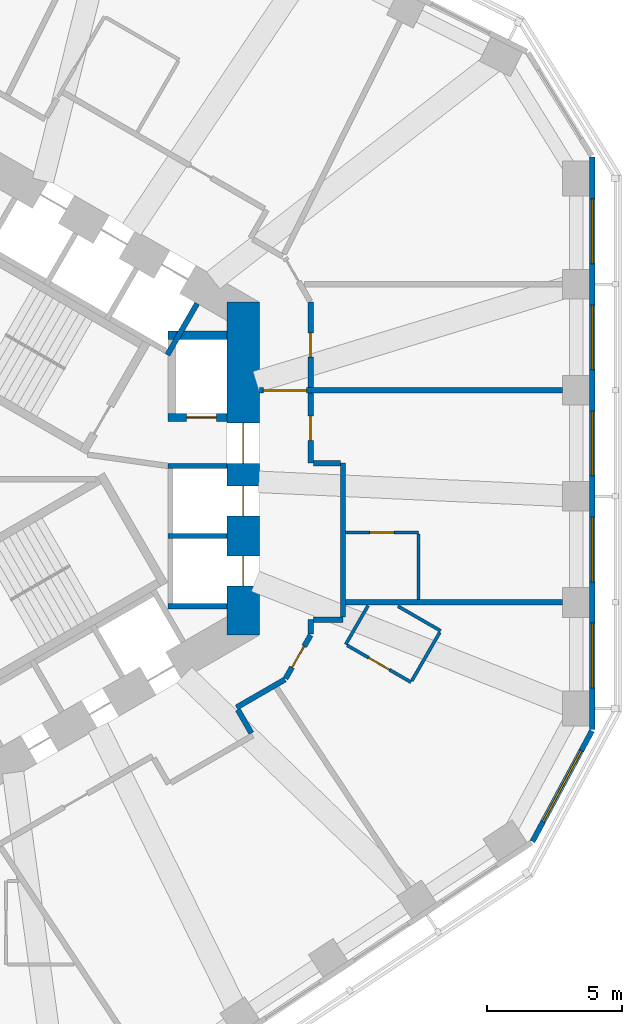
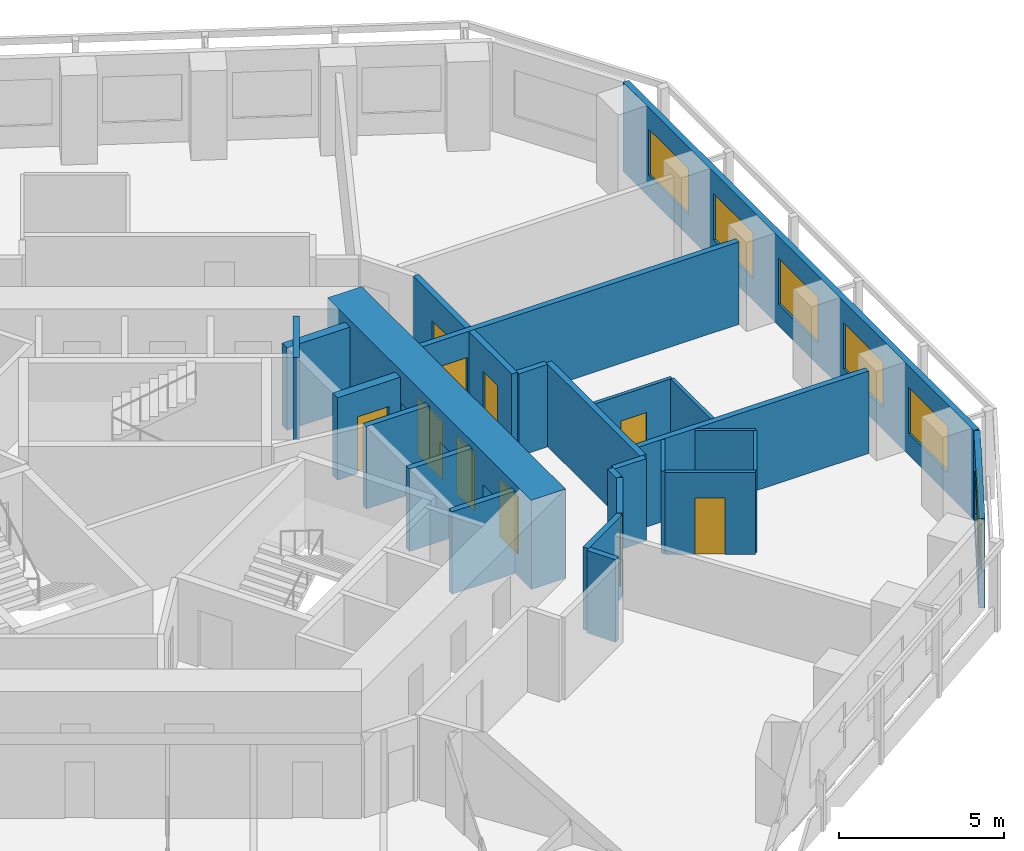
# One storey, part 6 of 11: 26 walls, 10 doors, 6 windows, 16 openings.
"""IFC4 building model written with IfcOpenShell, lengths in metres."""

from ifc_helpers import new_model, si_unit, direction, frame, frame_2d, origin, place, context, subcontext, project, spatial, rectangle, extrude, material, layer, layer_set, type_object, element, fill, save


model = new_model("IFC4")

# Units and contexts
model_context = context("Model", 3, precision=1e-05, world=origin(), true_north=direction((0.0, 1.0)))
body_context = subcontext(model_context, "Body", "Model", "MODEL_VIEW")
ifc_project = project(units=[si_unit("LENGTHUNIT", "METRE"), si_unit("AREAUNIT", "SQUARE_METRE"), si_unit("VOLUMEUNIT", "CUBIC_METRE"), si_unit("PLANEANGLEUNIT", "RADIAN"), si_unit("MASSUNIT", "GRAM", prefix="KILO")], contexts=[model_context])

# Site, building, storey
site_placement = place(None, origin())
site = spatial("IfcSite", under=ifc_project, at=site_placement, CompositionType="ELEMENT")
building_placement = place(site_placement, origin())
building = spatial("IfcBuilding", under=site, at=building_placement, Name="Vanh Sen Convention Tower", CompositionType="ELEMENT")
storey_placement = place(building_placement, frame((0.0, 0.0, 100.10009765625)))
storey = spatial("IfcBuildingStorey", under=building, at=storey_placement, Name="L23", CompositionType="ELEMENT", Elevation=100.10009765625)

# Wall
ifc_material_1 = material(Name="Moisture-resistant gypsum board on steel studs", Category="steel")
ifc_layer_1 = layer(ifc_material_1, 0.1201171875)
ifc_layer_set_1 = layer_set([ifc_layer_1], Name="Moisture-resistant gypsum board on steel studs")
wall_type_1 = type_object("IfcWallType", Name="Bathroom partition 120", PredefinedType="PARTITIONING", material=ifc_layer_set_1)
wall_1_placement = place(storey_placement, frame((13.90087890625, -6.5244140625, 0.0), z_axis=(0.0, 0.0, 1.0), x_axis=(0.499964162598, 0.86604609353, 0.0)))
element("IfcWall", 1, at=wall_1_placement, inside=storey, type_object=wall_type_1, Name="Bathroom partition 120", PredefinedType="PARTITIONING", context=body_context, shape_type="SweptSolid", body=[
    extrude(rectangle(XDim=1.6611328125, YDim=0.1201171875, at=frame_2d((0.83056640625, 0.0))), origin(), (0.0, 0.0, 1.0), 3.0498046875),
])

# Wall, opening, door
wall_2_placement = place(storey_placement, frame((13.90087890625, -2.364501953125, 0.0), z_axis=(0.0, 0.0, 1.0), x_axis=(1.0, 0.0, 0.0)))
wall_2 = element("IfcWall", 2, at=wall_2_placement, inside=storey, type_object=wall_type_1, Name="Bathroom partition 120", PredefinedType="PARTITIONING", context=body_context, shape_type="SweptSolid", body=[
    extrude(rectangle(XDim=2.7001953125, YDim=0.1201171875, at=frame_2d((1.35009765625, 0.0))), origin(), (0.0, 0.0, 1.0), 3.0498046875),
])
opening_1_placement = place(wall_2_placement, frame((0.89990234375, 0.0, 0.0)))
opening_1 = element("IfcOpeningElement", 3, at=opening_1_placement, cuts=wall_2, Name="Opening D22102", PredefinedType="OPENING", context=body_context, shape_type="SweptSolid", body=[
    extrude(rectangle(XDim=0.89990234375, YDim=2.10009765625, at=frame_2d((0.449951171875, 1.050048828125))), frame((0.0, 0.070068359375, 0.0), z_axis=(0.0, -1.0, 0.0), x_axis=(1.0, 0.0, 0.0)), (0.0, 0.0, 1.0), 0.14013671875),
])
ifc_material_2 = material(Name="Laminate door in steel frame", Category="steel")
door_type_1 = type_object("IfcDoorType", Name="En-suite door 900", OperationType="SINGLE_SWING_LEFT", PredefinedType="DOOR", material=ifc_material_2)
door_1_placement = place(opening_1_placement, origin())
door_1 = element("IfcDoor", 4, at=door_1_placement, inside=storey, type_object=door_type_1, Name="En-suite door D22102", OperationType="SINGLE_SWING_LEFT", OverallHeight=2.10009765625, OverallWidth=0.89990234375, PredefinedType="DOOR", context=body_context, shape_type="SweptSolid", body=[
    extrude(rectangle(XDim=0.89990234375, YDim=2.10009765625, at=frame_2d((0.449951171875, 1.050048828125))), frame((0.0, 0.02490234375, 0.0), z_axis=(0.0, -1.0, 0.0), x_axis=(1.0, 0.0, 0.0)), (0.0, 0.0, 1.0), 0.050048828125),
])
fill(opening_1, door_1)

# Wall
wall_3_placement = place(storey_placement, frame((15.84130859375, -5.1044921875, 0.0), z_axis=(0.0, 0.0, 1.0), x_axis=(0.866025591402, -0.499999675036, 0.0)))
element("IfcWall", 5, at=wall_3_placement, inside=storey, type_object=wall_type_1, Name="Bathroom partition 120", PredefinedType="PARTITIONING", context=body_context, shape_type="SweptSolid", body=[
    extrude(rectangle(XDim=1.82958984375, YDim=0.1201171875, at=frame_2d((0.914794921875, 0.0))), origin(), (0.0, 0.0, 1.0), 3.0498046875),
])

# Wall, opening, door
wall_4_placement = place(storey_placement, frame((16.32568359375, -7.924560546875, 0.0), z_axis=(0.0, 0.0, 1.0), x_axis=(-0.865997131366, 0.500048966069, 0.0)))
wall_4 = element("IfcWall", 6, at=wall_4_placement, inside=storey, type_object=wall_type_1, Name="Bathroom partition 120", PredefinedType="PARTITIONING", context=body_context, shape_type="SweptSolid", body=[
    extrude(rectangle(XDim=2.739990234375, YDim=0.1201171875, at=frame_2d((1.3701171875, 0.0))), origin(), (0.0, 0.0, 1.0), 3.0498046875),
])
opening_2_placement = place(wall_4_placement, frame((0.919921875, 0.0, 0.0)))
opening_2 = element("IfcOpeningElement", 7, at=opening_2_placement, cuts=wall_4, Name="Opening D22127", PredefinedType="OPENING", context=body_context, shape_type="SweptSolid", body=[
    extrude(rectangle(XDim=0.89990234375, YDim=2.10009765625, at=frame_2d((0.449951171875, 1.050048828125))), frame((0.0, 0.070068359375, 0.0), z_axis=(0.0, -1.0, 0.0), x_axis=(1.0, 0.0, 0.0)), (0.0, 0.0, 1.0), 0.14013671875),
])
door_2_placement = place(opening_2_placement, origin())
door_2 = element("IfcDoor", 8, at=door_2_placement, inside=storey, type_object=door_type_1, Name="En-suite door D22127", OperationType="SINGLE_SWING_LEFT", OverallHeight=2.10009765625, OverallWidth=0.89990234375, PredefinedType="DOOR", context=body_context, shape_type="SweptSolid", body=[
    extrude(rectangle(XDim=0.89990234375, YDim=2.10009765625, at=frame_2d((0.449951171875, 1.050048828125))), frame((0.0, 0.02490234375, 0.0), z_axis=(0.0, -1.0, 0.0), x_axis=(1.0, 0.0, 0.0)), (0.0, 0.0, 1.0), 0.050048828125),
])
fill(opening_2, door_2)

# Walls
wall_5_placement = place(storey_placement, frame((16.60107421875, -2.424560546875, 0.0), z_axis=(0.0, 0.0, 1.0), x_axis=(0.0, -1.0, 0.0)))
element("IfcWall", 9, at=wall_5_placement, inside=storey, type_object=wall_type_1, Name="Bathroom partition 120", PredefinedType="PARTITIONING", context=body_context, shape_type="SweptSolid", body=[
    extrude(rectangle(XDim=2.43994140625, YDim=0.1201171875, at=frame_2d((1.219970703125, 0.0))), origin(), (0.0, 0.0, 1.0), 3.0498046875),
])
wall_6_placement = place(storey_placement, frame((17.395751953125, -6.0712890625, 0.0), z_axis=(0.0, 0.0, 1.0), x_axis=(-0.500027264788, -0.866009661879, 0.0)))
element("IfcWall", 10, at=wall_6_placement, inside=storey, type_object=wall_type_1, Name="Bathroom partition 120", PredefinedType="PARTITIONING", context=body_context, shape_type="SweptSolid", body=[
    extrude(rectangle(XDim=2.080078125, YDim=0.1201171875, at=frame_2d((1.0400390625, 0.0))), origin(), (0.0, 0.0, 1.0), 3.0498046875),
])

# Wall, openings, doors
ifc_material_3 = material(Name="Concrete C80/95", Category="concrete")
ifc_layer_2 = layer(ifc_material_3, 1.199951171875)
ifc_layer_set_2 = layer_set([ifc_layer_2], Name="Concrete C80/95")
wall_type_2 = type_object("IfcWallType", Name="Core outer wall 1200 C80/95", PredefinedType="SHEAR", material=ifc_layer_set_2)
wall_7_placement = place(storey_placement, frame((10.10009765625, -6.177490234375, 0.0), z_axis=(0.0, 0.0, 1.0), x_axis=(0.0, 1.0, 0.0)))
wall_7 = element("IfcWall", 11, at=wall_7_placement, inside=storey, type_object=wall_type_2, Name="Core wall face E L23", PredefinedType="SHEAR", context=body_context, shape_type="SweptSolid", body=[
    extrude(rectangle(XDim=12.35498046875, YDim=1.199951171875, at=frame_2d((6.177490234375, 0.0))), origin(), (0.0, 0.0, 1.0), 3.2998046875),
])
opening_3_placement = place(wall_7_placement, frame((6.377685546875, 0.0, 0.0)))
opening_3 = element("IfcOpeningElement", 12, at=opening_3_placement, cuts=wall_7, Name="Opening D22001", PredefinedType="OPENING", context=body_context, shape_type="SweptSolid", body=[
    extrude(rectangle(XDim=1.5, YDim=2.10009765625, at=frame_2d((0.75, 1.050048828125))), frame((0.0, 0.60986328125, 0.0), z_axis=(0.0, -1.0, 0.0), x_axis=(1.0, 0.0, 0.0)), (0.0, 0.0, 1.0), 1.219970703125),
])
opening_4_placement = place(wall_7_placement, frame((1.82763671875, 0.0, 0.0)))
opening_4 = element("IfcOpeningElement", 13, at=opening_4_placement, cuts=wall_7, Name="Opening LD-LR1", PredefinedType="OPENING", context=body_context, shape_type="SweptSolid", body=[
    extrude(rectangle(XDim=1.10009765625, YDim=2.10009765625, at=frame_2d((0.550048828125, 1.050048828125))), frame((0.0, 0.60986328125, 0.0), z_axis=(0.0, -1.0, 0.0), x_axis=(1.0, 0.0, 0.0)), (0.0, 0.0, 1.0), 1.219970703125),
])
opening_5_placement = place(wall_7_placement, frame((4.427490234375, 0.0, 0.0)))
opening_5 = element("IfcOpeningElement", 14, at=opening_5_placement, cuts=wall_7, Name="Opening LD-LR2", PredefinedType="OPENING", context=body_context, shape_type="SweptSolid", body=[
    extrude(rectangle(XDim=1.10009765625, YDim=2.10009765625, at=frame_2d((0.550048828125, 1.050048828125))), frame((0.0, 0.60986328125, 0.0), z_axis=(0.0, -1.0, 0.0), x_axis=(1.0, 0.0, 0.0)), (0.0, 0.0, 1.0), 1.219970703125),
])
ifc_material_4 = material(Name="Stainless steel", Category="steel")
door_type_2 = type_object("IfcDoorType", Name="Lift landing door 1100", OperationType="DOUBLE_DOOR_SLIDING", PredefinedType="DOOR", material=ifc_material_4)
door_3_placement = place(opening_4_placement, origin())
door_3 = element("IfcDoor", 15, at=door_3_placement, inside=storey, type_object=door_type_2, Name="Lift LR1 landing door LD-LR1", OperationType="DOUBLE_DOOR_SLIDING", OverallHeight=2.10009765625, OverallWidth=1.10009765625, PredefinedType="DOOR", context=body_context, shape_type="SweptSolid", body=[
    extrude(rectangle(XDim=1.10009765625, YDim=2.10009765625, at=frame_2d((0.550048828125, 1.050048828125))), frame((0.0, 0.02490234375, 0.0), z_axis=(0.0, -1.0, 0.0), x_axis=(1.0, 0.0, 0.0)), (0.0, 0.0, 1.0), 0.050048828125),
])
fill(opening_4, door_3)
door_4_placement = place(opening_5_placement, origin())
door_4 = element("IfcDoor", 16, at=door_4_placement, inside=storey, type_object=door_type_2, Name="Lift LR2 landing door LD-LR2", OperationType="DOUBLE_DOOR_SLIDING", OverallHeight=2.10009765625, OverallWidth=1.10009765625, PredefinedType="DOOR", context=body_context, shape_type="SweptSolid", body=[
    extrude(rectangle(XDim=1.10009765625, YDim=2.10009765625, at=frame_2d((0.550048828125, 1.050048828125))), frame((0.0, 0.02490234375, 0.0), z_axis=(0.0, -1.0, 0.0), x_axis=(1.0, 0.0, 0.0)), (0.0, 0.0, 1.0), 0.050048828125),
])
fill(opening_5, door_4)
ifc_material_5 = material(Name="Steel S355", Category="steel")
door_type_3 = type_object("IfcDoorType", Name="Stair lobby door 1500", OperationType="DOUBLE_DOOR_SINGLE_SWING", PredefinedType="DOOR", material=ifc_material_5)
door_5_placement = place(opening_3_placement, origin())
door_5 = element("IfcDoor", 17, at=door_5_placement, inside=storey, type_object=door_type_3, Name="Stair lobby door D22001", OperationType="DOUBLE_DOOR_SINGLE_SWING", OverallHeight=2.10009765625, OverallWidth=1.5, PredefinedType="DOOR", context=body_context, shape_type="SweptSolid", body=[
    extrude(rectangle(XDim=1.5, YDim=2.10009765625, at=frame_2d((0.75, 1.050048828125))), frame((0.0, 0.02490234375, 0.0), z_axis=(0.0, -1.0, 0.0), x_axis=(1.0, 0.0, 0.0)), (0.0, 0.0, 1.0), 0.050048828125),
])
fill(opening_3, door_5)

# Walls
ifc_material_6 = material(Name="Gypsum board on steel studs with mineral wool", Category="steel")
ifc_layer_3 = layer(ifc_material_6, 0.199951171875)
ifc_layer_set_3 = layer_set([ifc_layer_3], Name="Gypsum board on steel studs with mineral wool")
wall_type_3 = type_object("IfcWallType", Name="Corridor partition wall 200", PredefinedType="PARTITIONING", material=ifc_layer_set_3)
wall_8_placement = place(storey_placement, frame((9.8515625, -8.861328125, 0.0), z_axis=(0.0, 0.0, 1.0), x_axis=(0.866013291437, 0.500020978615, 0.0)))
element("IfcWall", 18, at=wall_8_placement, inside=storey, type_object=wall_type_3, Name="Corridor partition wall 200", PredefinedType="PARTITIONING", context=body_context, shape_type="SweptSolid", body=[
    extrude(rectangle(XDim=2.07666015625, YDim=0.199951171875, at=frame_2d((1.038330078125, 0.0))), origin(), (0.0, 0.0, 1.0), 3.0498046875),
])
wall_9_placement = place(storey_placement, frame((10.402099609375, -9.81494140625, 0.0), z_axis=(0.0, 0.0, 1.0), x_axis=(-0.499968756647, 0.866043441391, 0.0)))
element("IfcWall", 19, at=wall_9_placement, inside=storey, type_object=wall_type_3, Name="Corridor partition wall 200", PredefinedType="PARTITIONING", context=body_context, shape_type="SweptSolid", body=[
    extrude(rectangle(XDim=1.0009765625, YDim=0.199951171875, at=frame_2d((0.50048828125, 0.0))), origin(), (0.0, 0.0, 1.0), 3.0498046875),
])

# Wall, opening, door
wall_10_placement = place(storey_placement, frame((11.669921875, -7.788330078125, 0.0), z_axis=(0.0, 0.0, 1.0), x_axis=(0.500063286585, 0.865988862174, 0.0)))
wall_10 = element("IfcWall", 20, at=wall_10_placement, inside=storey, type_object=wall_type_3, Name="Corridor partition wall 200", PredefinedType="PARTITIONING", context=body_context, shape_type="SweptSolid", body=[
    extrude(rectangle(XDim=1.860107421875, YDim=0.199951171875, at=frame_2d((0.93017578125, 0.0))), origin(), (0.0, 0.0, 1.0), 3.0498046875),
])
opening_6_placement = place(wall_10_placement, frame((0.47998046875, 0.0, 0.0)))
opening_6 = element("IfcOpeningElement", 21, at=opening_6_placement, cuts=wall_10, Name="Opening D22126", PredefinedType="OPENING", context=body_context, shape_type="SweptSolid", body=[
    extrude(rectangle(XDim=0.89990234375, YDim=2.10009765625, at=frame_2d((0.449951171875, 1.050048828125))), frame((0.0, 0.10986328125, 0.0), z_axis=(0.0, -1.0, 0.0), x_axis=(1.0, 0.0, 0.0)), (0.0, 0.0, 1.0), 0.219970703125),
])
ifc_material_7 = material(Name="Timber fire door in steel frame", Category="steel")
door_type_4 = type_object("IfcDoorType", Name="Guest room door 900", OperationType="SINGLE_SWING_LEFT", PredefinedType="DOOR", material=ifc_material_7)
door_6_placement = place(opening_6_placement, origin())
door_6 = element("IfcDoor", 22, at=door_6_placement, inside=storey, type_object=door_type_4, Name="Hotel guest room door D22126", OperationType="SINGLE_SWING_LEFT", OverallHeight=2.10009765625, OverallWidth=0.89990234375, PredefinedType="DOOR", context=body_context, shape_type="SweptSolid", body=[
    extrude(rectangle(XDim=0.89990234375, YDim=2.10009765625, at=frame_2d((0.449951171875, 1.050048828125))), frame((0.0, 0.02490234375, 0.0), z_axis=(0.0, -1.0, 0.0), x_axis=(1.0, 0.0, 0.0)), (0.0, 0.0, 1.0), 0.050048828125),
])
fill(opening_6, door_6)

# Wall
wall_11_placement = place(storey_placement, frame((12.60009765625, -6.1376953125, 0.0), z_axis=(0.0, 0.0, 1.0), x_axis=(0.0, 1.0, 0.0)))
element("IfcWall", 23, at=wall_11_placement, inside=storey, type_object=wall_type_3, Name="Corridor partition wall 200", PredefinedType="PARTITIONING", context=body_context, shape_type="SweptSolid", body=[
    extrude(rectangle(XDim=0.53662109375, YDim=0.199951171875, at=frame_2d((0.268310546875, 0.0))), origin(), (0.0, 0.0, 1.0), 3.0498046875),
])

# Wall, opening, door
wall_12_placement = place(storey_placement, frame((12.60009765625, 0.200927734375, 0.0), z_axis=(0.0, 0.0, 1.0), x_axis=(0.0, 1.0, 0.0)))
wall_12 = element("IfcWall", 24, at=wall_12_placement, inside=storey, type_object=wall_type_3, Name="Corridor partition wall 200", PredefinedType="PARTITIONING", context=body_context, shape_type="SweptSolid", body=[
    extrude(rectangle(XDim=2.603515625, YDim=0.199951171875, at=frame_2d((1.3017578125, 0.0))), origin(), (0.0, 0.0, 1.0), 3.0498046875),
])
opening_7_placement = place(wall_12_placement, frame((0.851806640625, 0.0, 0.0)))
opening_7 = element("IfcOpeningElement", 25, at=opening_7_placement, cuts=wall_12, Name="Opening D22101", PredefinedType="OPENING", context=body_context, shape_type="SweptSolid", body=[
    extrude(rectangle(XDim=0.89990234375, YDim=2.10009765625, at=frame_2d((0.449951171875, 1.050048828125))), frame((0.0, 0.10986328125, 0.0), z_axis=(0.0, -1.0, 0.0), x_axis=(1.0, 0.0, 0.0)), (0.0, 0.0, 1.0), 0.219970703125),
])
door_7_placement = place(opening_7_placement, origin())
door_7 = element("IfcDoor", 26, at=door_7_placement, inside=storey, type_object=door_type_4, Name="Hotel guest room door D22101", OperationType="SINGLE_SWING_LEFT", OverallHeight=2.10009765625, OverallWidth=0.89990234375, PredefinedType="DOOR", context=body_context, shape_type="SweptSolid", body=[
    extrude(rectangle(XDim=0.89990234375, YDim=2.10009765625, at=frame_2d((0.449951171875, 1.050048828125))), frame((0.0, 0.02490234375, 0.0), z_axis=(0.0, -1.0, 0.0), x_axis=(1.0, 0.0, 0.0)), (0.0, 0.0, 1.0), 0.050048828125),
])
fill(opening_7, door_7)

wall_13_placement = place(storey_placement, frame((12.60009765625, 3.00439453125, 0.0), z_axis=(0.0, 0.0, 1.0), x_axis=(0.0, 1.0, 0.0)))
wall_13 = element("IfcWall", 27, at=wall_13_placement, inside=storey, type_object=wall_type_3, Name="Corridor partition wall 200", PredefinedType="PARTITIONING", context=body_context, shape_type="SweptSolid", body=[
    extrude(rectangle(XDim=3.173095703125, YDim=0.199951171875, at=frame_2d((1.58642578125, 0.0))), origin(), (0.0, 0.0, 1.0), 3.0498046875),
])
opening_8_placement = place(wall_13_placement, frame((1.136474609375, 0.0, 0.0)))
opening_8 = element("IfcOpeningElement", 28, at=opening_8_placement, cuts=wall_13, Name="Opening D22103", PredefinedType="OPENING", context=body_context, shape_type="SweptSolid", body=[
    extrude(rectangle(XDim=0.89990234375, YDim=2.10009765625, at=frame_2d((0.449951171875, 1.050048828125))), frame((0.0, 0.10986328125, 0.0), z_axis=(0.0, -1.0, 0.0), x_axis=(1.0, 0.0, 0.0)), (0.0, 0.0, 1.0), 0.219970703125),
])
door_type_5 = type_object("IfcDoorType", Name="Floor service door 900", OperationType="SINGLE_SWING_LEFT", PredefinedType="DOOR", material=ifc_material_7)
door_8_placement = place(opening_8_placement, origin())
door_8 = element("IfcDoor", 29, at=door_8_placement, inside=storey, type_object=door_type_5, Name="Service room door D22103", OperationType="SINGLE_SWING_LEFT", OverallHeight=2.10009765625, OverallWidth=0.89990234375, PredefinedType="DOOR", context=body_context, shape_type="SweptSolid", body=[
    extrude(rectangle(XDim=0.89990234375, YDim=2.10009765625, at=frame_2d((0.449951171875, 1.050048828125))), frame((0.0, 0.02490234375, 0.0), z_axis=(0.0, -1.0, 0.0), x_axis=(1.0, 0.0, 0.0)), (0.0, 0.0, 1.0), 0.050048828125),
])
fill(opening_8, door_8)

# Walls
wall_14_placement = place(storey_placement, frame((12.699951171875, -5.60107421875, 0.0), z_axis=(0.0, 0.0, 1.0), x_axis=(1.0, 0.0, 0.0)))
element("IfcWall", 30, at=wall_14_placement, inside=storey, type_object=wall_type_3, Name="Corridor partition wall 200", PredefinedType="PARTITIONING", context=body_context, shape_type="SweptSolid", body=[
    extrude(rectangle(XDim=1.10107421875, YDim=0.199951171875, at=frame_2d((0.550537109375, 0.0))), origin(), (0.0, 0.0, 1.0), 3.0498046875),
])
wall_15_placement = place(storey_placement, frame((13.700927734375, 0.200927734375, 0.0), z_axis=(0.0, 0.0, 1.0), x_axis=(-1.0, 0.0, 0.0)))
element("IfcWall", 31, at=wall_15_placement, inside=storey, type_object=wall_type_3, Name="Corridor partition wall 200", PredefinedType="PARTITIONING", context=body_context, shape_type="SweptSolid", body=[
    extrude(rectangle(XDim=1.0009765625, YDim=0.199951171875, at=frame_2d((0.50048828125, 0.0))), origin(), (0.0, 0.0, 1.0), 3.0498046875),
])
wall_16_placement = place(storey_placement, frame((13.801025390625, -5.5009765625, 0.0), z_axis=(0.0, 0.0, 1.0), x_axis=(0.0, 1.0, 0.0)))
element("IfcWall", 32, at=wall_16_placement, inside=storey, type_object=wall_type_3, Name="Corridor partition wall 200", PredefinedType="PARTITIONING", context=body_context, shape_type="SweptSolid", body=[
    extrude(rectangle(XDim=5.701904296875, YDim=0.199951171875, at=frame_2d((2.85107421875, 0.0))), origin(), (0.0, 0.0, 1.0), 3.0498046875),
])

# Wall, openings, windows
ifc_material_8 = material(Name="Insulated lightweight infill wall")
ifc_layer_4 = layer(ifc_material_8, 0.199951171875)
ifc_layer_set_4 = layer_set([ifc_layer_4], Name="Insulated lightweight infill wall")
wall_type_4 = type_object("IfcWallType", Name="External wall 200", PredefinedType="STANDARD", material=ifc_layer_set_4)
wall_17_placement = place(storey_placement, frame((23.050048828125, -9.6865234375, 0.0), z_axis=(0.0, 0.0, 1.0), x_axis=(0.0, 1.0, 0.0)))
wall_17 = element("IfcWall", 33, at=wall_17_placement, inside=storey, type_object=wall_type_4, Name="External wall E L23", PredefinedType="STANDARD", context=body_context, shape_type="SweptSolid", body=[
    extrude(rectangle(XDim=21.24609375, YDim=0.199951171875, at=frame_2d((10.623046875, 0.0))), origin(), (0.0, 0.0, 1.0), 3.2998046875),
])
opening_9_placement = place(wall_17_placement, frame((1.5546875, 0.0, 0.800048828125)))
opening_9 = element("IfcOpeningElement", 34, at=opening_9_placement, cuts=wall_17, Name="Opening WH1-E1", PredefinedType="OPENING", context=body_context, shape_type="SweptSolid", body=[
    extrude(rectangle(XDim=2.39990234375, YDim=1.699951171875, at=frame_2d((1.199951171875, 0.85009765625))), frame((0.0, 0.10986328125, 0.0), z_axis=(0.0, -1.0, 0.0), x_axis=(1.0, 0.0, 0.0)), (0.0, 0.0, 1.0), 0.219970703125),
])
opening_10_placement = place(wall_17_placement, frame((5.4892578125, 0.0, 0.800048828125)))
opening_10 = element("IfcOpeningElement", 35, at=opening_10_placement, cuts=wall_17, Name="Opening WH1-E2", PredefinedType="OPENING", context=body_context, shape_type="SweptSolid", body=[
    extrude(rectangle(XDim=2.39990234375, YDim=1.699951171875, at=frame_2d((1.199951171875, 0.85009765625))), frame((0.0, 0.10986328125, 0.0), z_axis=(0.0, -1.0, 0.0), x_axis=(1.0, 0.0, 0.0)), (0.0, 0.0, 1.0), 0.219970703125),
])
opening_11_placement = place(wall_17_placement, frame((9.423828125, 0.0, 0.800048828125)))
opening_11 = element("IfcOpeningElement", 36, at=opening_11_placement, cuts=wall_17, Name="Opening WH1-E3", PredefinedType="OPENING", context=body_context, shape_type="SweptSolid", body=[
    extrude(rectangle(XDim=2.39990234375, YDim=1.699951171875, at=frame_2d((1.199951171875, 0.85009765625))), frame((0.0, 0.10986328125, 0.0), z_axis=(0.0, -1.0, 0.0), x_axis=(1.0, 0.0, 0.0)), (0.0, 0.0, 1.0), 0.219970703125),
])
opening_12_placement = place(wall_17_placement, frame((13.3583984375, 0.0, 0.800048828125)))
opening_12 = element("IfcOpeningElement", 37, at=opening_12_placement, cuts=wall_17, Name="Opening WH1-E4", PredefinedType="OPENING", context=body_context, shape_type="SweptSolid", body=[
    extrude(rectangle(XDim=2.39990234375, YDim=1.699951171875, at=frame_2d((1.199951171875, 0.85009765625))), frame((0.0, 0.10986328125, 0.0), z_axis=(0.0, -1.0, 0.0), x_axis=(1.0, 0.0, 0.0)), (0.0, 0.0, 1.0), 0.219970703125),
])
opening_13_placement = place(wall_17_placement, frame((17.29296875, 0.0, 0.800048828125)))
opening_13 = element("IfcOpeningElement", 38, at=opening_13_placement, cuts=wall_17, Name="Opening WH1-E5", PredefinedType="OPENING", context=body_context, shape_type="SweptSolid", body=[
    extrude(rectangle(XDim=2.39990234375, YDim=1.699951171875, at=frame_2d((1.199951171875, 0.85009765625))), frame((0.0, 0.10986328125, 0.0), z_axis=(0.0, -1.0, 0.0), x_axis=(1.0, 0.0, 0.0)), (0.0, 0.0, 1.0), 0.219970703125),
])
ifc_material_9 = material(Name="Aluminium frame with clear low-emissivity glass", Category="aluminium")
window_type_1 = type_object("IfcWindowType", Name="Hotel window 2400 x 1700", PartitioningType="SINGLE_PANEL", PredefinedType="WINDOW", material=ifc_material_9)
window_1_placement = place(opening_9_placement, origin())
window_1 = element("IfcWindow", 39, at=window_1_placement, inside=storey, type_object=window_type_1, Name="Window WH1-E1", OverallHeight=1.699951171875, OverallWidth=2.39990234375, PartitioningType="SINGLE_PANEL", PredefinedType="WINDOW", context=body_context, shape_type="SweptSolid", body=[
    extrude(rectangle(XDim=2.39990234375, YDim=1.699951171875, at=frame_2d((1.199951171875, 0.85009765625))), frame((0.0, 0.030029296875, 0.0), z_axis=(0.0, -1.0, 0.0), x_axis=(1.0, 0.0, 0.0)), (0.0, 0.0, 1.0), 0.06005859375),
])
fill(opening_9, window_1)
window_2_placement = place(opening_10_placement, origin())
window_2 = element("IfcWindow", 40, at=window_2_placement, inside=storey, type_object=window_type_1, Name="Window WH1-E2", OverallHeight=1.699951171875, OverallWidth=2.39990234375, PartitioningType="SINGLE_PANEL", PredefinedType="WINDOW", context=body_context, shape_type="SweptSolid", body=[
    extrude(rectangle(XDim=2.39990234375, YDim=1.699951171875, at=frame_2d((1.199951171875, 0.85009765625))), frame((0.0, 0.030029296875, 0.0), z_axis=(0.0, -1.0, 0.0), x_axis=(1.0, 0.0, 0.0)), (0.0, 0.0, 1.0), 0.06005859375),
])
fill(opening_10, window_2)
window_3_placement = place(opening_11_placement, origin())
window_3 = element("IfcWindow", 41, at=window_3_placement, inside=storey, type_object=window_type_1, Name="Window WH1-E3", OverallHeight=1.699951171875, OverallWidth=2.39990234375, PartitioningType="SINGLE_PANEL", PredefinedType="WINDOW", context=body_context, shape_type="SweptSolid", body=[
    extrude(rectangle(XDim=2.39990234375, YDim=1.699951171875, at=frame_2d((1.199951171875, 0.85009765625))), frame((0.0, 0.030029296875, 0.0), z_axis=(0.0, -1.0, 0.0), x_axis=(1.0, 0.0, 0.0)), (0.0, 0.0, 1.0), 0.06005859375),
])
fill(opening_11, window_3)
window_4_placement = place(opening_12_placement, origin())
window_4 = element("IfcWindow", 42, at=window_4_placement, inside=storey, type_object=window_type_1, Name="Window WH1-E4", OverallHeight=1.699951171875, OverallWidth=2.39990234375, PartitioningType="SINGLE_PANEL", PredefinedType="WINDOW", context=body_context, shape_type="SweptSolid", body=[
    extrude(rectangle(XDim=2.39990234375, YDim=1.699951171875, at=frame_2d((1.199951171875, 0.85009765625))), frame((0.0, 0.030029296875, 0.0), z_axis=(0.0, -1.0, 0.0), x_axis=(1.0, 0.0, 0.0)), (0.0, 0.0, 1.0), 0.06005859375),
])
fill(opening_12, window_4)
window_5_placement = place(opening_13_placement, origin())
window_5 = element("IfcWindow", 43, at=window_5_placement, inside=storey, type_object=window_type_1, Name="Window WH1-E5", OverallHeight=1.699951171875, OverallWidth=2.39990234375, PartitioningType="SINGLE_PANEL", PredefinedType="WINDOW", context=body_context, shape_type="SweptSolid", body=[
    extrude(rectangle(XDim=2.39990234375, YDim=1.699951171875, at=frame_2d((1.199951171875, 0.85009765625))), frame((0.0, 0.030029296875, 0.0), z_axis=(0.0, -1.0, 0.0), x_axis=(1.0, 0.0, 0.0)), (0.0, 0.0, 1.0), 0.06005859375),
])
fill(opening_13, window_5)

# Wall, opening, window
wall_18_placement = place(storey_placement, frame((20.83251953125, -13.838623046875, 0.0), z_axis=(0.0, 0.0, 1.0), x_axis=(0.473321668581, 0.880889662813, 0.0)))
wall_18 = element("IfcWall", 44, at=wall_18_placement, inside=storey, type_object=wall_type_4, Name="External wall CH6 L23", PredefinedType="STANDARD", context=body_context, shape_type="SweptSolid", body=[
    extrude(rectangle(XDim=4.65966796875, YDim=0.199951171875, at=frame_2d((2.329833984375, 0.0))), origin(), (0.0, 0.0, 1.0), 3.2998046875),
])
opening_14_placement = place(wall_18_placement, frame((0.829833984375, 0.0, 0.800048828125)))
opening_14 = element("IfcOpeningElement", 45, at=opening_14_placement, cuts=wall_18, Name="Opening WH2-CH61", PredefinedType="OPENING", context=body_context, shape_type="SweptSolid", body=[
    extrude(rectangle(XDim=3.0, YDim=1.699951171875, at=frame_2d((1.5, 0.85009765625))), frame((0.0, 0.10986328125, 0.0), z_axis=(0.0, -1.0, 0.0), x_axis=(1.0, 0.0, 0.0)), (0.0, 0.0, 1.0), 0.219970703125),
])
window_type_2 = type_object("IfcWindowType", Name="Hotel window 3000 x 1700", PartitioningType="SINGLE_PANEL", PredefinedType="WINDOW", material=ifc_material_9)
window_6_placement = place(opening_14_placement, origin())
window_6 = element("IfcWindow", 46, at=window_6_placement, inside=storey, type_object=window_type_2, Name="Window WH2-CH61", OverallHeight=1.699951171875, OverallWidth=3.0, PartitioningType="SINGLE_PANEL", PredefinedType="WINDOW", context=body_context, shape_type="SweptSolid", body=[
    extrude(rectangle(XDim=3.0, YDim=1.699951171875, at=frame_2d((1.5, 0.85009765625))), frame((0.0, 0.030029296875, 0.0), z_axis=(0.0, -1.0, 0.0), x_axis=(1.0, 0.0, 0.0)), (0.0, 0.0, 1.0), 0.06005859375),
])
fill(opening_14, window_6)

# Wall, opening, door
ifc_material_10 = material(Name="Concrete C60/75", Category="concrete")
ifc_layer_5 = layer(ifc_material_10, 0.300048828125)
ifc_layer_set_5 = layer_set([ifc_layer_5], Name="Concrete C60/75")
wall_type_5 = type_object("IfcWallType", Name="Fire-fighting lift shaft wall 300", PredefinedType="SHEAR", material=ifc_layer_set_5)
wall_19_placement = place(storey_placement, frame((7.300048828125, 1.89990234375, 0.0), z_axis=(0.0, 0.0, 1.0), x_axis=(1.0, 0.0, 0.0)))
wall_19 = element("IfcWall", 47, at=wall_19_placement, inside=storey, type_object=wall_type_5, Name="Fire-fighting lift shaft wall L23", PredefinedType="SHEAR", context=body_context, shape_type="SweptSolid", body=[
    extrude(rectangle(XDim=2.199951171875, YDim=0.300048828125, at=frame_2d((1.10009765625, 0.0))), origin(), (0.0, 0.0, 1.0), 3.0498046875),
])
opening_15_placement = place(wall_19_placement, frame((0.699951171875, 0.0, 0.0)))
opening_15 = element("IfcOpeningElement", 48, at=opening_15_placement, cuts=wall_19, Name="Opening LD-FF1", PredefinedType="OPENING", context=body_context, shape_type="SweptSolid", body=[
    extrude(rectangle(XDim=1.10009765625, YDim=2.10009765625, at=frame_2d((0.550048828125, 1.050048828125))), frame((0.0, 0.159912109375, 0.0), z_axis=(0.0, -1.0, 0.0), x_axis=(1.0, 0.0, 0.0)), (0.0, 0.0, 1.0), 0.320068359375),
])
door_type_6 = type_object("IfcDoorType", Name="Fire-fighting lift landing door 1100", OperationType="DOUBLE_DOOR_SLIDING", PredefinedType="DOOR", material=ifc_material_4)
door_9_placement = place(opening_15_placement, origin())
door_9 = element("IfcDoor", 49, at=door_9_placement, inside=storey, type_object=door_type_6, Name="Lift FF1 landing door LD-FF1", OperationType="DOUBLE_DOOR_SLIDING", OverallHeight=2.10009765625, OverallWidth=1.10009765625, PredefinedType="DOOR", context=body_context, shape_type="SweptSolid", body=[
    extrude(rectangle(XDim=1.10009765625, YDim=2.10009765625, at=frame_2d((0.550048828125, 1.050048828125))), frame((0.0, 0.02490234375, 0.0), z_axis=(0.0, -1.0, 0.0), x_axis=(1.0, 0.0, 0.0)), (0.0, 0.0, 1.0), 0.050048828125),
])
fill(opening_15, door_9)

# Walls
wall_20_placement = place(storey_placement, frame((7.300048828125, 4.949951171875, 0.0), z_axis=(0.0, 0.0, 1.0), x_axis=(1.0, 0.0, 0.0)))
element("IfcWall", 50, at=wall_20_placement, inside=storey, type_object=wall_type_5, Name="Fire-fighting lift shaft wall L23", PredefinedType="SHEAR", context=body_context, shape_type="SweptSolid", body=[
    extrude(rectangle(XDim=2.199951171875, YDim=0.300048828125, at=frame_2d((1.10009765625, 0.0))), origin(), (0.0, 0.0, 1.0), 3.0498046875),
])
ifc_layer_6 = layer(ifc_material_6, 0.199951171875)
ifc_layer_set_6 = layer_set([ifc_layer_6], Name="Gypsum board on steel studs with mineral wool")
wall_type_6 = type_object("IfcWallType", Name="Hotel party wall 200", PredefinedType="PARTITIONING", material=ifc_layer_set_6)
wall_21_placement = place(storey_placement, frame((13.90087890625, -4.964599609375, 0.0), z_axis=(0.0, 0.0, 1.0), x_axis=(1.0, 0.0, 0.0)))
element("IfcWall", 51, at=wall_21_placement, inside=storey, type_object=wall_type_6, Name="Hotel party wall 200", PredefinedType="PARTITIONING", context=body_context, shape_type="SweptSolid", body=[
    extrude(rectangle(XDim=8.049072265625, YDim=0.199951171875, at=frame_2d((4.0244140625, 0.0))), origin(), (0.0, 0.0, 1.0), 3.0498046875),
])
ifc_material_11 = material(Name="Concrete C40/50", Category="concrete")
ifc_layer_7 = layer(ifc_material_11, 0.199951171875)
ifc_layer_set_7 = layer_set([ifc_layer_7], Name="Concrete C40/50")
wall_type_7 = type_object("IfcWallType", Name="Lift shaft wall 200", PredefinedType="PARTITIONING", material=ifc_layer_set_7)
for number, where, z_axis, x_axis, name in (
    (52, (7.300048828125, -5.10009765625, 0.0), (0.0, 0.0, 1.0), (1.0, 0.0, 0.0), "Lift shaft wall L23"),
    (53, (7.300048828125, -2.5, 0.0), (0.0, 0.0, 1.0), (1.0, 0.0, 0.0), "Lift shaft wall L23"),
    (54, (7.300048828125, 0.10009765625, 0.0), (0.0, 0.0, 1.0), (1.0, 0.0, 0.0), "Lift shaft wall L23"),
    (55, (7.287353515625, 4.221923828125, 0.0), (0.0, 0.0, 1.0), (0.499946605688, 0.86605622881, 0.0), "Lift shaft wall L23"),
):
    element("IfcWall", number, at=place(storey_placement, frame(where, z_axis=z_axis, x_axis=x_axis)), inside=storey, type_object=wall_type_7, Name=name, PredefinedType="PARTITIONING", context=body_context, shape_type="SweptSolid", body=[
        extrude(rectangle(XDim=2.199951171875, YDim=0.199951171875, at=frame_2d((1.10009765625, 0.0))), origin(), (0.0, 0.0, 1.0), 3.0498046875),
    ])

# Wall, opening, door
ifc_material_12 = material(Name="Concrete C20/25", Category="concrete")
ifc_layer_8 = layer(ifc_material_12, 0.199951171875)
ifc_layer_set_8 = layer_set([ifc_layer_8], Name="Concrete C20/25")
wall_type_8 = type_object("IfcWallType", Name="Sub-compartment wall 200", PredefinedType="PARTITIONING", material=ifc_layer_set_8)
wall_22_placement = place(storey_placement, frame((21.949951171875, 2.904541015625, 0.0), z_axis=(0.0, 0.0, 1.0), x_axis=(-1.0, 0.0, 0.0)))
wall_22 = element("IfcWall", 56, at=wall_22_placement, inside=storey, type_object=wall_type_8, Name="Sub-compartment wall 200", PredefinedType="PARTITIONING", context=body_context, shape_type="SweptSolid", body=[
    extrude(rectangle(XDim=11.25, YDim=0.199951171875, at=frame_2d((5.625, 0.0))), origin(), (0.0, 0.0, 1.0), 3.0498046875),
])
opening_16_placement = place(wall_22_placement, frame((9.5, 0.0, 0.0)))
opening_16 = element("IfcOpeningElement", 57, at=opening_16_placement, cuts=wall_22, Name="Opening D22129", PredefinedType="OPENING", context=body_context, shape_type="SweptSolid", body=[
    extrude(rectangle(XDim=1.60009765625, YDim=2.10009765625, at=frame_2d((0.800048828125, 1.050048828125))), frame((0.0, 0.10986328125, 0.0), z_axis=(0.0, -1.0, 0.0), x_axis=(1.0, 0.0, 0.0)), (0.0, 0.0, 1.0), 0.219970703125),
])
ifc_material_13 = material(Name="Steel S355", Category="steel")
door_type_7 = type_object("IfcDoorType", Name="Corridor fire door 1600", OperationType="DOUBLE_DOOR_SINGLE_SWING", PredefinedType="DOOR", material=ifc_material_13)
door_10_placement = place(opening_16_placement, origin())
door_10 = element("IfcDoor", 58, at=door_10_placement, inside=storey, type_object=door_type_7, Name="Sub-compartment door D22129", OperationType="DOUBLE_DOOR_SINGLE_SWING", OverallHeight=2.10009765625, OverallWidth=1.60009765625, PredefinedType="DOOR", context=body_context, shape_type="SweptSolid", body=[
    extrude(rectangle(XDim=1.60009765625, YDim=2.10009765625, at=frame_2d((0.800048828125, 1.050048828125))), frame((0.0, 0.02490234375, 0.0), z_axis=(0.0, -1.0, 0.0), x_axis=(1.0, 0.0, 0.0)), (0.0, 0.0, 1.0), 0.050048828125),
])
fill(opening_16, door_10)

save(model, "model.ifc")
